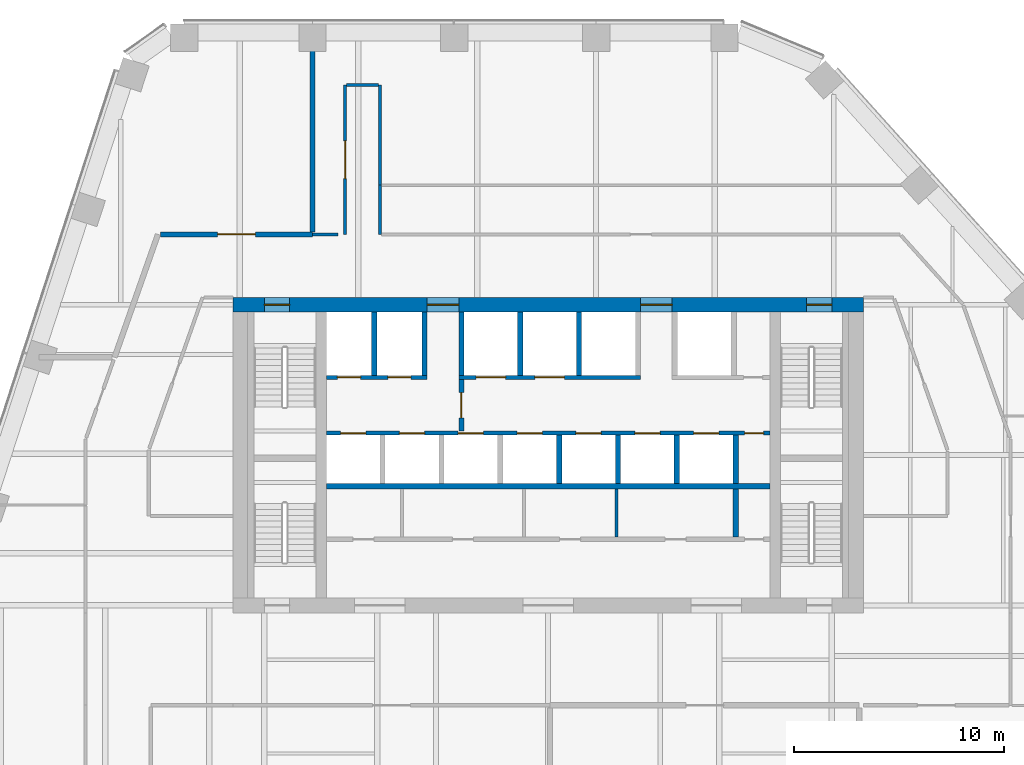
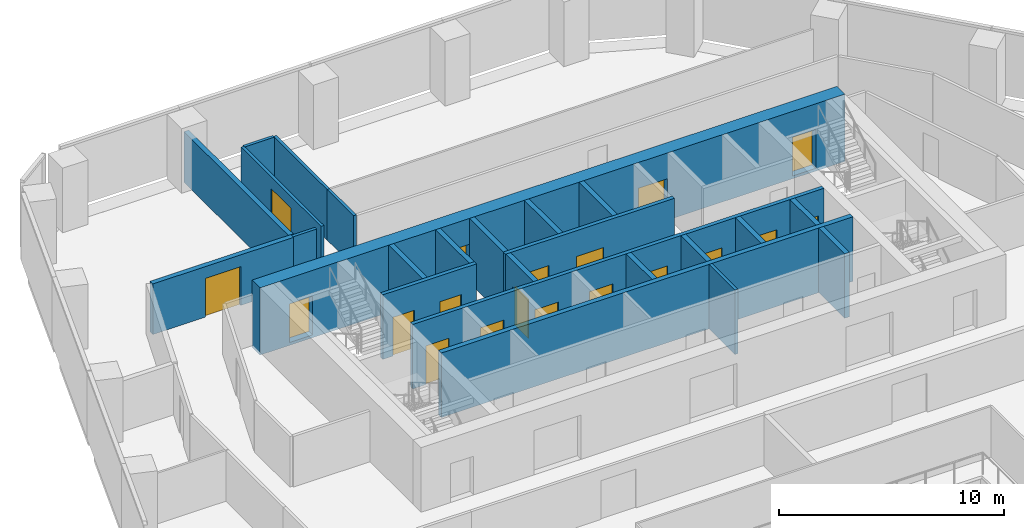
# One storey, part 12 of 16: 24 walls, 19 doors, 19 openings.
"""IFC4 building model written with IfcOpenShell, lengths in metres."""

from ifc_helpers import new_model, si_unit, direction, frame, frame_2d, origin, place, context, subcontext, project, spatial, rectangle, extrude, material, layer, layer_set, type_object, element, fill, save


model = new_model("IFC4")

# Units and contexts
model_context = context("Model", 3, precision=1e-05, world=origin(), true_north=direction((0.0, 1.0)))
body_context = subcontext(model_context, "Body", "Model", "MODEL_VIEW")
ifc_project = project(units=[si_unit("LENGTHUNIT", "METRE"), si_unit("AREAUNIT", "SQUARE_METRE"), si_unit("VOLUMEUNIT", "CUBIC_METRE"), si_unit("PLANEANGLEUNIT", "RADIAN"), si_unit("MASSUNIT", "GRAM", prefix="KILO")], contexts=[model_context])

# Site, building, storey
site_placement = place(None, origin())
site = spatial("IfcSite", under=ifc_project, at=site_placement, CompositionType="ELEMENT")
building_placement = place(site_placement, origin())
building = spatial("IfcBuilding", under=site, at=building_placement, Name="Isthmus Gate Tower", CompositionType="ELEMENT")
storey_placement = place(building_placement, frame((0.0, 0.0, 185.39990234375)))
storey = spatial("IfcBuildingStorey", under=building, at=storey_placement, Name="L46", CompositionType="ELEMENT", Elevation=185.39990234375)

# Wall, opening, door
ifc_material_1 = material(Name="Double-leaf acoustic stud wall, fire-rated", Category="gypsum")
ifc_layer_1 = layer(ifc_material_1, 0.25)
ifc_layer_set_1 = layer_set([ifc_layer_1], Name="ACOUSTIC WALL 250 60 MIN")
wall_type_1 = type_object("IfcWallType", Name="ACOUSTIC WALL 250 60 MIN", PredefinedType="PARTITIONING", material=ifc_layer_set_1)
wall_1_placement = place(storey_placement, frame((-18.43603515625, 18.0, 0.0), z_axis=(0.0, 0.0, 1.0), x_axis=(1.0, 0.0, 0.0)))
wall_1 = element("IfcWall", 1, at=wall_1_placement, inside=storey, type_object=wall_type_1, Name="L46 Acoustic Wall 250 60 Min", PredefinedType="PARTITIONING", context=body_context, shape_type="SweptSolid", body=[
    extrude(rectangle(XDim=7.22412109375, YDim=0.25, at=frame_2d((3.612060546875, 0.0))), origin(), (0.0, 0.0, 1.0), 2.7412109375),
])
opening_1_placement = place(wall_1_placement, frame((2.7119140625, 0.0, 0.0)))
opening_1 = element("IfcOpeningElement", 2, at=opening_1_placement, cuts=wall_1, Name="Opening DT-T4B-02", PredefinedType="OPENING", context=body_context, shape_type="SweptSolid", body=[
    extrude(rectangle(XDim=1.800048828125, YDim=2.10009765625, at=frame_2d((0.89990234375, 1.050048828125))), frame((0.0, 0.135009765625, 0.0), z_axis=(0.0, -1.0, 0.0), x_axis=(1.0, 0.0, 0.0)), (0.0, 0.0, 1.0), 0.27001953125),
])
ifc_material_2 = material(Name="Solid core timber door leaf, fire-rated", Category="wood")
door_type_1 = type_object("IfcDoorType", Name="FIRE DOOR ACOUSTIC ROOM 1800 X 2100 60 MIN", OperationType="DOUBLE_DOOR_DOUBLE_SWING", PredefinedType="DOOR", material=ifc_material_2)
door_1_placement = place(opening_1_placement, origin())
door_1 = element("IfcDoor", 3, at=door_1_placement, inside=storey, type_object=door_type_1, Name="L46 room door", OperationType="DOUBLE_DOOR_DOUBLE_SWING", OverallHeight=2.10009765625, OverallWidth=1.800048828125, PredefinedType="DOOR", context=body_context, shape_type="SweptSolid", body=[
    extrude(rectangle(XDim=1.800048828125, YDim=2.10009765625, at=frame_2d((0.89990234375, 1.050048828125))), frame((0.0, 0.02490234375, 0.0), z_axis=(0.0, -1.0, 0.0), x_axis=(1.0, 0.0, 0.0)), (0.0, 0.0, 1.0), 0.050048828125),
])
fill(opening_1, door_1)

# Walls
wall_2_placement = place(storey_placement, frame((-11.2119140625, 18.125, 0.0), z_axis=(0.0, 0.0, 1.0), x_axis=(0.0, 1.0, 0.0)))
element("IfcWall", 4, at=wall_2_placement, inside=storey, type_object=wall_type_1, Name="L46 Acoustic Wall 250 60 Min", PredefinedType="PARTITIONING", context=body_context, shape_type="SweptSolid", body=[
    extrude(rectangle(XDim=9.27490234375, YDim=0.25, at=frame_2d((4.637451171875, 0.0))), origin(), (0.0, 0.0, 1.0), 2.7412109375),
])
ifc_material_3 = material(Name="Gypsum board on steel studs, fire-rated", Category="steel")
ifc_layer_2 = layer(ifc_material_3, 0.14990234375)
ifc_layer_set_2 = layer_set([ifc_layer_2], Name="CORRIDOR WALL 150 60 MIN")
wall_type_2 = type_object("IfcWallType", Name="CORRIDOR WALL 150 60 MIN", PredefinedType="PARTITIONING", material=ifc_layer_set_2)
wall_3_placement = place(storey_placement, frame((-8.0, 25.10009765625, 0.0), z_axis=(0.0, 0.0, 1.0), x_axis=(0.0, -1.0, 0.0)))
element("IfcWall", 5, at=wall_3_placement, inside=storey, type_object=wall_type_2, Name="L46 Corridor Wall 150 60 Min", PredefinedType="PARTITIONING", context=body_context, shape_type="SweptSolid", body=[
    extrude(rectangle(XDim=4.759033203125, YDim=0.14990234375, at=frame_2d((2.37939453125, 0.0))), origin(), (0.0, 0.0, 1.0), 2.7412109375),
])
wall_4_placement = place(storey_placement, frame((-8.0, 20.341064453125, 0.0), z_axis=(0.0, 0.0, 1.0), x_axis=(0.0, -1.0, 0.0)))
element("IfcWall", 6, at=wall_4_placement, inside=storey, type_object=wall_type_2, Name="L46 Corridor Wall 150 60 Min", PredefinedType="PARTITIONING", context=body_context, shape_type="SweptSolid", body=[
    extrude(rectangle(XDim=2.341064453125, YDim=0.14990234375, at=frame_2d((1.17041015625, 0.0))), origin(), (0.0, 0.0, 1.0), 2.7412109375),
])
wall_5_placement = place(storey_placement, frame((-11.2119140625, 18.0, 0.0), z_axis=(0.0, 0.0, 1.0), x_axis=(1.0, 0.0, 0.0)))
element("IfcWall", 7, at=wall_5_placement, inside=storey, type_object=wall_type_2, Name="L46 Corridor Wall 150 60 Min", PredefinedType="PARTITIONING", context=body_context, shape_type="SweptSolid", body=[
    extrude(rectangle(XDim=1.2099609375, YDim=0.14990234375, at=frame_2d((0.60498046875, 0.0))), origin(), (0.0, 0.0, 1.0), 2.7412109375),
])

# Wall, opening, door
wall_6_placement = place(storey_placement, frame((-9.659912109375, 17.998046875, 0.0), z_axis=(0.0, 0.0, 1.0), x_axis=(0.0, 1.0, 0.0)))
wall_6 = element("IfcWall", 8, at=wall_6_placement, inside=storey, type_object=wall_type_2, Name="L46 Corridor Wall 150 60 Min", PredefinedType="PARTITIONING", context=body_context, shape_type="SweptSolid", body=[
    extrude(rectangle(XDim=7.10205078125, YDim=0.14990234375, at=frame_2d((3.551025390625, 0.0))), origin(), (0.0, 0.0, 1.0), 2.7412109375),
])
opening_2_placement = place(wall_6_placement, frame((2.65087890625, 0.0, 0.0)))
opening_2 = element("IfcOpeningElement", 9, at=opening_2_placement, cuts=wall_6, Name="Opening DT-T4B-01", PredefinedType="OPENING", context=body_context, shape_type="SweptSolid", body=[
    extrude(rectangle(XDim=1.800048828125, YDim=2.10009765625, at=frame_2d((0.89990234375, 1.050048828125))), frame((0.0, 0.0849609375, 0.0), z_axis=(0.0, -1.0, 0.0), x_axis=(1.0, 0.0, 0.0)), (0.0, 0.0, 1.0), 0.169921875),
])
ifc_material_4 = material(Name="Solid core timber door leaf, fire-rated", Category="wood")
door_type_2 = type_object("IfcDoorType", Name="FIRE DOOR ROOM 1800 X 2100 60 MIN", OperationType="DOUBLE_DOOR_DOUBLE_SWING", PredefinedType="DOOR", material=ifc_material_4)
door_2_placement = place(opening_2_placement, origin())
door_2 = element("IfcDoor", 10, at=door_2_placement, inside=storey, type_object=door_type_2, Name="L46 room door", OperationType="DOUBLE_DOOR_DOUBLE_SWING", OverallHeight=2.10009765625, OverallWidth=1.800048828125, PredefinedType="DOOR", context=body_context, shape_type="SweptSolid", body=[
    extrude(rectangle(XDim=1.800048828125, YDim=2.10009765625, at=frame_2d((0.89990234375, 1.050048828125))), frame((0.0, 0.02490234375, 0.0), z_axis=(0.0, -1.0, 0.0), x_axis=(1.0, 0.0, 0.0)), (0.0, 0.0, 1.0), 0.050048828125),
])
fill(opening_2, door_2)

# Wall
wall_7_placement = place(storey_placement, frame((-9.5849609375, 25.10009765625, 0.0), z_axis=(0.0, 0.0, 1.0), x_axis=(1.0, 0.0, 0.0)))
element("IfcWall", 11, at=wall_7_placement, inside=storey, type_object=wall_type_2, Name="L46 Corridor Wall 150 60 Min", PredefinedType="PARTITIONING", context=body_context, shape_type="SweptSolid", body=[
    extrude(rectangle(XDim=1.510009765625, YDim=0.14990234375, at=frame_2d((0.7548828125, 0.0))), origin(), (0.0, 0.0, 1.0), 2.7412109375),
])

# Wall, opening, door
ifc_material_5 = material(Name="Fire-rated blockwork masonry, 15 MPa", Category="masonry")
ifc_layer_3 = layer(ifc_material_5, 0.25)
ifc_layer_set_3 = layer_set([ifc_layer_3], Name="FIRE-FIGHTING LOBBY WALL 250 90 MIN")
wall_type_3 = type_object("IfcWallType", Name="FIRE-FIGHTING LOBBY WALL 250 90 MIN", PredefinedType="PARTITIONING", material=ifc_layer_set_3)
wall_8_placement = place(storey_placement, frame((-4.125, 8.64990234375, 0.0), z_axis=(0.0, 0.0, 1.0), x_axis=(0.0, 1.0, 0.0)))
wall_8 = element("IfcWall", 12, at=wall_8_placement, inside=storey, type_object=wall_type_3, Name="L46 FIRE-FIGHTING LOBBY WALL 250 90 MIN", PredefinedType="PARTITIONING", context=body_context, shape_type="SweptSolid", body=[
    extrude(rectangle(XDim=2.4501953125, YDim=0.25, at=frame_2d((1.22509765625, 0.0))), origin(), (0.0, 0.0, 1.0), 3.5),
])
opening_3_placement = place(wall_8_placement, frame((0.625, 0.0, 0.0)))
opening_3 = element("IfcOpeningElement", 13, at=opening_3_placement, cuts=wall_8, Name="Opening DC-A13-01", PredefinedType="OPENING", context=body_context, shape_type="SweptSolid", body=[
    extrude(rectangle(XDim=1.199951171875, YDim=2.10009765625, at=frame_2d((0.60009765625, 1.050048828125))), frame((0.0, 0.135009765625, 0.0), z_axis=(0.0, -1.0, 0.0), x_axis=(1.0, 0.0, 0.0)), (0.0, 0.0, 1.0), 0.27001953125),
])
ifc_material_6 = material(Name="Steel door leaf, fire-rated", Category="steel")
door_type_3 = type_object("IfcDoorType", Name="LOBBY FIRE DOOR 1200 X 2100 90 MIN", OperationType="DOUBLE_DOOR_SINGLE_SWING", PredefinedType="DOOR", material=ifc_material_6)
door_3_placement = place(opening_3_placement, origin())
door_3 = element("IfcDoor", 14, at=door_3_placement, inside=storey, type_object=door_type_3, Name="Fire-fighting Lobby Door", OperationType="SINGLE_SWING_LEFT", OverallHeight=2.10009765625, OverallWidth=1.199951171875, PredefinedType="DOOR", context=body_context, shape_type="SweptSolid", body=[
    extrude(rectangle(XDim=1.199951171875, YDim=2.10009765625, at=frame_2d((0.60009765625, 1.050048828125))), frame((0.0, 0.02490234375, 0.0), z_axis=(0.0, -1.0, 0.0), x_axis=(1.0, 0.0, 0.0)), (0.0, 0.0, 1.0), 0.050048828125),
])
fill(opening_3, door_3)

# Wall, openings, doors
ifc_material_7 = material(Name="Concrete f'c 60 MPa", Category="concrete")
ifc_layer_4 = layer(ifc_material_7, 0.699951171875)
ifc_layer_set_4 = layer_set([ifc_layer_4], Name="RC CORE WALL 700 F'C 60")
wall_type_4 = type_object("IfcWallType", Name="RC CORE WALL 700 F'C 60", PredefinedType="SOLIDWALL", material=ifc_layer_set_4)
wall_9_placement = place(storey_placement, frame((-15.0, 14.64990234375, -0.14990234375), z_axis=(0.0, 0.0, 1.0), x_axis=(1.0, 0.0, 0.0)))
wall_9 = element("IfcWall", 15, at=wall_9_placement, inside=storey, type_object=wall_type_4, Name="str-corewall-L46-N", PredefinedType="SOLIDWALL", context=body_context, shape_type="SweptSolid", body=[
    extrude(rectangle(XDim=30.0, YDim=0.699951171875, at=frame_2d((15.0, 0.0))), origin(), (0.0, 0.0, 1.0), 3.64990234375),
])
opening_4_placement = place(wall_9_placement, frame((9.25, 0.0, 0.14990234375)))
opening_4 = element("IfcOpeningElement", 16, at=opening_4_placement, cuts=wall_9, Name="Opening DC-A13-12", PredefinedType="OPENING", context=body_context, shape_type="SweptSolid", body=[
    extrude(rectangle(XDim=1.5, YDim=2.10009765625, at=frame_2d((0.75, 1.050048828125))), frame((0.0, 0.35986328125, 0.0), z_axis=(0.0, -1.0, 0.0), x_axis=(1.0, 0.0, 0.0)), (0.0, 0.0, 1.0), 0.719970703125),
])
opening_5_placement = place(wall_9_placement, frame((19.39990234375, 0.0, 0.14990234375)))
opening_5 = element("IfcOpeningElement", 17, at=opening_5_placement, cuts=wall_9, Name="Opening DC-A13-13", PredefinedType="OPENING", context=body_context, shape_type="SweptSolid", body=[
    extrude(rectangle(XDim=1.5, YDim=2.10009765625, at=frame_2d((0.75, 1.050048828125))), frame((0.0, 0.35986328125, 0.0), z_axis=(0.0, -1.0, 0.0), x_axis=(1.0, 0.0, 0.0)), (0.0, 0.0, 1.0), 0.719970703125),
])
opening_6_placement = place(wall_9_placement, frame((1.5, 0.0, 0.14990234375)))
opening_6 = element("IfcOpeningElement", 18, at=opening_6_placement, cuts=wall_9, Name="Opening DC-A13-14", PredefinedType="OPENING", context=body_context, shape_type="SweptSolid", body=[
    extrude(rectangle(XDim=1.199951171875, YDim=2.10009765625, at=frame_2d((0.60009765625, 1.050048828125))), frame((0.0, 0.35986328125, 0.0), z_axis=(0.0, -1.0, 0.0), x_axis=(1.0, 0.0, 0.0)), (0.0, 0.0, 1.0), 0.719970703125),
])
opening_7_placement = place(wall_9_placement, frame((27.300048828125, 0.0, 0.14990234375)))
opening_7 = element("IfcOpeningElement", 19, at=opening_7_placement, cuts=wall_9, Name="Opening DC-A13-15", PredefinedType="OPENING", context=body_context, shape_type="SweptSolid", body=[
    extrude(rectangle(XDim=1.199951171875, YDim=2.10009765625, at=frame_2d((0.60009765625, 1.050048828125))), frame((0.0, 0.35986328125, 0.0), z_axis=(0.0, -1.0, 0.0), x_axis=(1.0, 0.0, 0.0)), (0.0, 0.0, 1.0), 0.719970703125),
])
ifc_material_8 = material(Name="Steel door leaf, fire-rated", Category="steel")
door_type_4 = type_object("IfcDoorType", Name="LOBBY FIRE DOOR 1500 X 2100 60 MIN", OperationType="DOUBLE_DOOR_SINGLE_SWING", PredefinedType="DOOR", material=ifc_material_8)
door_4_placement = place(opening_5_placement, origin())
door_4 = element("IfcDoor", 20, at=door_4_placement, inside=storey, type_object=door_type_4, Name="Lobby Door PN-E", OperationType="DOUBLE_DOOR_SINGLE_SWING", OverallHeight=2.10009765625, OverallWidth=1.5, PredefinedType="DOOR", context=body_context, shape_type="SweptSolid", body=[
    extrude(rectangle(XDim=1.5, YDim=2.10009765625, at=frame_2d((0.75, 1.050048828125))), frame((0.0, 0.02490234375, 0.0), z_axis=(0.0, -1.0, 0.0), x_axis=(1.0, 0.0, 0.0)), (0.0, 0.0, 1.0), 0.050048828125),
])
fill(opening_5, door_4)
ifc_material_9 = material(Name="Steel door leaf, fire-rated", Category="steel")
door_type_5 = type_object("IfcDoorType", Name="LOBBY FIRE DOOR 1500 X 2100 90 MIN", OperationType="DOUBLE_DOOR_SINGLE_SWING", PredefinedType="DOOR", material=ifc_material_9)
door_5_placement = place(opening_4_placement, origin())
door_5 = element("IfcDoor", 21, at=door_5_placement, inside=storey, type_object=door_type_5, Name="Lobby Door PN-W", OperationType="DOUBLE_DOOR_SINGLE_SWING", OverallHeight=2.10009765625, OverallWidth=1.5, PredefinedType="DOOR", context=body_context, shape_type="SweptSolid", body=[
    extrude(rectangle(XDim=1.5, YDim=2.10009765625, at=frame_2d((0.75, 1.050048828125))), frame((0.0, 0.02490234375, 0.0), z_axis=(0.0, -1.0, 0.0), x_axis=(1.0, 0.0, 0.0)), (0.0, 0.0, 1.0), 0.050048828125),
])
fill(opening_4, door_5)
ifc_material_10 = material(Name="Steel door leaf, fire-rated", Category="steel")
door_type_6 = type_object("IfcDoorType", Name="STAIR FIRE DOOR 1200 X 2100 90 MIN", OperationType="SINGLE_SWING_LEFT", PredefinedType="DOOR", material=ifc_material_10)
door_6_placement = place(opening_6_placement, origin())
door_6 = element("IfcDoor", 22, at=door_6_placement, inside=storey, type_object=door_type_6, Name="Exit Stair 1 Door", OperationType="SINGLE_SWING_RIGHT", OverallHeight=2.10009765625, OverallWidth=1.199951171875, PredefinedType="DOOR", context=body_context, shape_type="SweptSolid", body=[
    extrude(rectangle(XDim=1.199951171875, YDim=2.10009765625, at=frame_2d((0.60009765625, 1.050048828125))), frame((0.0, 0.02490234375, 0.0), z_axis=(0.0, -1.0, 0.0), x_axis=(1.0, 0.0, 0.0)), (0.0, 0.0, 1.0), 0.050048828125),
])
fill(opening_6, door_6)
door_7_placement = place(opening_7_placement, origin())
door_7 = element("IfcDoor", 23, at=door_7_placement, inside=storey, type_object=door_type_6, Name="Exit Stair 2 Door", OperationType="SINGLE_SWING_LEFT", OverallHeight=2.10009765625, OverallWidth=1.199951171875, PredefinedType="DOOR", context=body_context, shape_type="SweptSolid", body=[
    extrude(rectangle(XDim=1.199951171875, YDim=2.10009765625, at=frame_2d((0.60009765625, 1.050048828125))), frame((0.0, 0.02490234375, 0.0), z_axis=(0.0, -1.0, 0.0), x_axis=(1.0, 0.0, 0.0)), (0.0, 0.0, 1.0), 0.050048828125),
])
fill(opening_7, door_7)

# Wall
ifc_material_11 = material(Name="Gypsum board on steel studs, fire-rated", Category="steel")
ifc_layer_5 = layer(ifc_material_11, 0.14990234375)
ifc_layer_set_5 = layer_set([ifc_layer_5], Name="ROOM PARTITION 150 60 MIN")
wall_type_5 = type_object("IfcWallType", Name="ROOM PARTITION 150 60 MIN", PredefinedType="PARTITIONING", material=ifc_layer_set_5)
wall_10_placement = place(storey_placement, frame((3.25, 3.60009765625, 0.0), z_axis=(0.0, 0.0, 1.0), x_axis=(0.0, 1.0, 0.0)))
element("IfcWall", 24, at=wall_10_placement, inside=storey, type_object=wall_type_5, Name="L46 ROOM PARTITION 150 60 MIN", PredefinedType="PARTITIONING", context=body_context, shape_type="SweptSolid", body=[
    extrude(rectangle(XDim=2.2998046875, YDim=0.14990234375, at=frame_2d((1.14990234375, 0.0))), origin(), (0.0, 0.0, 1.0), 3.5),
])

# Wall, openings, doors
ifc_material_12 = material(Name="Fire-rated blockwork masonry, 15 MPa", Category="masonry")
ifc_layer_6 = layer(ifc_material_12, 0.199951171875)
ifc_layer_set_6 = layer_set([ifc_layer_6], Name="SHAFT FRONT WALL 200 120 MIN")
wall_type_6 = type_object("IfcWallType", Name="SHAFT FRONT WALL 200 120 MIN", PredefinedType="PARTITIONING", material=ifc_layer_set_6)
wall_11_placement = place(storey_placement, frame((-10.550048828125, 8.550048828125, 0.0), z_axis=(0.0, 0.0, 1.0), x_axis=(1.0, 0.0, 0.0)))
wall_11 = element("IfcWall", 25, at=wall_11_placement, inside=storey, type_object=wall_type_6, Name="L46 SHAFT FRONT WALL 200 120 MIN", PredefinedType="PARTITIONING", context=body_context, shape_type="SweptSolid", body=[
    extrude(rectangle(XDim=21.10009765625, YDim=0.199951171875, at=frame_2d((10.550048828125, 0.0))), origin(), (0.0, 0.0, 1.0), 3.5),
])
opening_8_placement = place(wall_11_placement, frame((0.675048828125, 0.0, 0.0)))
opening_8 = element("IfcOpeningElement", 26, at=opening_8_placement, cuts=wall_11, Name="Opening LD-LB1", PredefinedType="OPENING", context=body_context, shape_type="SweptSolid", body=[
    extrude(rectangle(XDim=1.199951171875, YDim=2.10009765625, at=frame_2d((0.60009765625, 1.050048828125))), frame((0.0, 0.10986328125, 0.0), z_axis=(0.0, -1.0, 0.0), x_axis=(1.0, 0.0, 0.0)), (0.0, 0.0, 1.0), 0.219970703125),
])
opening_9_placement = place(wall_11_placement, frame((3.47509765625, 0.0, 0.0)))
opening_9 = element("IfcOpeningElement", 27, at=opening_9_placement, cuts=wall_11, Name="Opening LD-LB2", PredefinedType="OPENING", context=body_context, shape_type="SweptSolid", body=[
    extrude(rectangle(XDim=1.199951171875, YDim=2.10009765625, at=frame_2d((0.60009765625, 1.050048828125))), frame((0.0, 0.10986328125, 0.0), z_axis=(0.0, -1.0, 0.0), x_axis=(1.0, 0.0, 0.0)), (0.0, 0.0, 1.0), 0.219970703125),
])
opening_10_placement = place(wall_11_placement, frame((6.27490234375, 0.0, 0.0)))
opening_10 = element("IfcOpeningElement", 28, at=opening_10_placement, cuts=wall_11, Name="Opening LD-LB3", PredefinedType="OPENING", context=body_context, shape_type="SweptSolid", body=[
    extrude(rectangle(XDim=1.199951171875, YDim=2.10009765625, at=frame_2d((0.60009765625, 1.050048828125))), frame((0.0, 0.10986328125, 0.0), z_axis=(0.0, -1.0, 0.0), x_axis=(1.0, 0.0, 0.0)), (0.0, 0.0, 1.0), 0.219970703125),
])
opening_11_placement = place(wall_11_placement, frame((9.074951171875, 0.0, 0.0)))
opening_11 = element("IfcOpeningElement", 29, at=opening_11_placement, cuts=wall_11, Name="Opening LD-LB4", PredefinedType="OPENING", context=body_context, shape_type="SweptSolid", body=[
    extrude(rectangle(XDim=1.199951171875, YDim=2.10009765625, at=frame_2d((0.60009765625, 1.050048828125))), frame((0.0, 0.10986328125, 0.0), z_axis=(0.0, -1.0, 0.0), x_axis=(1.0, 0.0, 0.0)), (0.0, 0.0, 1.0), 0.219970703125),
])
opening_12_placement = place(wall_11_placement, frame((11.875, 0.0, 0.0)))
opening_12 = element("IfcOpeningElement", 30, at=opening_12_placement, cuts=wall_11, Name="Opening LD-LB5", PredefinedType="OPENING", context=body_context, shape_type="SweptSolid", body=[
    extrude(rectangle(XDim=1.199951171875, YDim=2.10009765625, at=frame_2d((0.60009765625, 1.050048828125))), frame((0.0, 0.10986328125, 0.0), z_axis=(0.0, -1.0, 0.0), x_axis=(1.0, 0.0, 0.0)), (0.0, 0.0, 1.0), 0.219970703125),
])
opening_13_placement = place(wall_11_placement, frame((14.675048828125, 0.0, 0.0)))
opening_13 = element("IfcOpeningElement", 31, at=opening_13_placement, cuts=wall_11, Name="Opening LD-LB6", PredefinedType="OPENING", context=body_context, shape_type="SweptSolid", body=[
    extrude(rectangle(XDim=1.199951171875, YDim=2.10009765625, at=frame_2d((0.60009765625, 1.050048828125))), frame((0.0, 0.10986328125, 0.0), z_axis=(0.0, -1.0, 0.0), x_axis=(1.0, 0.0, 0.0)), (0.0, 0.0, 1.0), 0.219970703125),
])
opening_14_placement = place(wall_11_placement, frame((17.47509765625, 0.0, 0.0)))
opening_14 = element("IfcOpeningElement", 32, at=opening_14_placement, cuts=wall_11, Name="Opening LD-LB7", PredefinedType="OPENING", context=body_context, shape_type="SweptSolid", body=[
    extrude(rectangle(XDim=1.199951171875, YDim=2.10009765625, at=frame_2d((0.60009765625, 1.050048828125))), frame((0.0, 0.10986328125, 0.0), z_axis=(0.0, -1.0, 0.0), x_axis=(1.0, 0.0, 0.0)), (0.0, 0.0, 1.0), 0.219970703125),
])
opening_15_placement = place(wall_11_placement, frame((19.89990234375, 0.0, 0.0)))
opening_15 = element("IfcOpeningElement", 33, at=opening_15_placement, cuts=wall_11, Name="Opening DC-A13-07", PredefinedType="OPENING", context=body_context, shape_type="SweptSolid", body=[
    extrude(rectangle(XDim=0.89990234375, YDim=2.10009765625, at=frame_2d((0.449951171875, 1.050048828125))), frame((0.0, 0.10986328125, 0.0), z_axis=(0.0, -1.0, 0.0), x_axis=(1.0, 0.0, 0.0)), (0.0, 0.0, 1.0), 0.219970703125),
])
ifc_material_13 = material(Name="Stainless steel sliding leaf", Category="steel")
door_type_7 = type_object("IfcDoorType", Name="LIFT LANDING FIRE DOOR 1200 X 2100 90 MIN", OperationType="DOUBLE_DOOR_SLIDING", PredefinedType="DOOR", material=ifc_material_13)
door_8_placement = place(opening_8_placement, origin())
door_8 = element("IfcDoor", 34, at=door_8_placement, inside=storey, type_object=door_type_7, Name="Lift Landing Door LB1", OperationType="DOUBLE_DOOR_SLIDING", OverallHeight=2.10009765625, OverallWidth=1.199951171875, PredefinedType="DOOR", context=body_context, shape_type="SweptSolid", body=[
    extrude(rectangle(XDim=1.199951171875, YDim=2.10009765625, at=frame_2d((0.60009765625, 1.050048828125))), frame((0.0, 0.02490234375, 0.0), z_axis=(0.0, -1.0, 0.0), x_axis=(1.0, 0.0, 0.0)), (0.0, 0.0, 1.0), 0.050048828125),
])
fill(opening_8, door_8)
door_9_placement = place(opening_9_placement, origin())
door_9 = element("IfcDoor", 35, at=door_9_placement, inside=storey, type_object=door_type_7, Name="Lift Landing Door LB2", OperationType="DOUBLE_DOOR_SLIDING", OverallHeight=2.10009765625, OverallWidth=1.199951171875, PredefinedType="DOOR", context=body_context, shape_type="SweptSolid", body=[
    extrude(rectangle(XDim=1.199951171875, YDim=2.10009765625, at=frame_2d((0.60009765625, 1.050048828125))), frame((0.0, 0.02490234375, 0.0), z_axis=(0.0, -1.0, 0.0), x_axis=(1.0, 0.0, 0.0)), (0.0, 0.0, 1.0), 0.050048828125),
])
fill(opening_9, door_9)
door_10_placement = place(opening_10_placement, origin())
door_10 = element("IfcDoor", 36, at=door_10_placement, inside=storey, type_object=door_type_7, Name="Lift Landing Door LB3", OperationType="DOUBLE_DOOR_SLIDING", OverallHeight=2.10009765625, OverallWidth=1.199951171875, PredefinedType="DOOR", context=body_context, shape_type="SweptSolid", body=[
    extrude(rectangle(XDim=1.199951171875, YDim=2.10009765625, at=frame_2d((0.60009765625, 1.050048828125))), frame((0.0, 0.02490234375, 0.0), z_axis=(0.0, -1.0, 0.0), x_axis=(1.0, 0.0, 0.0)), (0.0, 0.0, 1.0), 0.050048828125),
])
fill(opening_10, door_10)
door_11_placement = place(opening_11_placement, origin())
door_11 = element("IfcDoor", 37, at=door_11_placement, inside=storey, type_object=door_type_7, Name="Lift Landing Door LB4", OperationType="DOUBLE_DOOR_SLIDING", OverallHeight=2.10009765625, OverallWidth=1.199951171875, PredefinedType="DOOR", context=body_context, shape_type="SweptSolid", body=[
    extrude(rectangle(XDim=1.199951171875, YDim=2.10009765625, at=frame_2d((0.60009765625, 1.050048828125))), frame((0.0, 0.02490234375, 0.0), z_axis=(0.0, -1.0, 0.0), x_axis=(1.0, 0.0, 0.0)), (0.0, 0.0, 1.0), 0.050048828125),
])
fill(opening_11, door_11)
door_12_placement = place(opening_12_placement, origin())
door_12 = element("IfcDoor", 38, at=door_12_placement, inside=storey, type_object=door_type_7, Name="Lift Landing Door LB5", OperationType="DOUBLE_DOOR_SLIDING", OverallHeight=2.10009765625, OverallWidth=1.199951171875, PredefinedType="DOOR", context=body_context, shape_type="SweptSolid", body=[
    extrude(rectangle(XDim=1.199951171875, YDim=2.10009765625, at=frame_2d((0.60009765625, 1.050048828125))), frame((0.0, 0.02490234375, 0.0), z_axis=(0.0, -1.0, 0.0), x_axis=(1.0, 0.0, 0.0)), (0.0, 0.0, 1.0), 0.050048828125),
])
fill(opening_12, door_12)
door_13_placement = place(opening_13_placement, origin())
door_13 = element("IfcDoor", 39, at=door_13_placement, inside=storey, type_object=door_type_7, Name="Lift Landing Door LB6", OperationType="DOUBLE_DOOR_SLIDING", OverallHeight=2.10009765625, OverallWidth=1.199951171875, PredefinedType="DOOR", context=body_context, shape_type="SweptSolid", body=[
    extrude(rectangle(XDim=1.199951171875, YDim=2.10009765625, at=frame_2d((0.60009765625, 1.050048828125))), frame((0.0, 0.02490234375, 0.0), z_axis=(0.0, -1.0, 0.0), x_axis=(1.0, 0.0, 0.0)), (0.0, 0.0, 1.0), 0.050048828125),
])
fill(opening_13, door_13)
door_14_placement = place(opening_14_placement, origin())
door_14 = element("IfcDoor", 40, at=door_14_placement, inside=storey, type_object=door_type_7, Name="Lift Landing Door LB7", OperationType="DOUBLE_DOOR_SLIDING", OverallHeight=2.10009765625, OverallWidth=1.199951171875, PredefinedType="DOOR", context=body_context, shape_type="SweptSolid", body=[
    extrude(rectangle(XDim=1.199951171875, YDim=2.10009765625, at=frame_2d((0.60009765625, 1.050048828125))), frame((0.0, 0.02490234375, 0.0), z_axis=(0.0, -1.0, 0.0), x_axis=(1.0, 0.0, 0.0)), (0.0, 0.0, 1.0), 0.050048828125),
])
fill(opening_14, door_14)
ifc_material_14 = material(Name="Steel door leaf, fire-rated", Category="steel")
door_type_8 = type_object("IfcDoorType", Name="RISER FIRE DOOR 900 X 2100 90 MIN", OperationType="SINGLE_SWING_LEFT", PredefinedType="DOOR", material=ifc_material_14)
door_15_placement = place(opening_15_placement, origin())
door_15 = element("IfcDoor", 41, at=door_15_placement, inside=storey, type_object=door_type_8, Name="Riser Door", OperationType="SINGLE_SWING_RIGHT", OverallHeight=2.10009765625, OverallWidth=0.89990234375, PredefinedType="DOOR", context=body_context, shape_type="SweptSolid", body=[
    extrude(rectangle(XDim=0.89990234375, YDim=2.10009765625, at=frame_2d((0.449951171875, 1.050048828125))), frame((0.0, 0.02490234375, 0.0), z_axis=(0.0, -1.0, 0.0), x_axis=(1.0, 0.0, 0.0)), (0.0, 0.0, 1.0), 0.050048828125),
])
fill(opening_15, door_15)

wall_12_placement = place(storey_placement, frame((-10.550048828125, 11.199951171875, 0.0), z_axis=(0.0, 0.0, 1.0), x_axis=(1.0, 0.0, 0.0)))
wall_12 = element("IfcWall", 42, at=wall_12_placement, inside=storey, type_object=wall_type_6, Name="L46 SHAFT FRONT WALL 200 120 MIN", PredefinedType="PARTITIONING", context=body_context, shape_type="SweptSolid", body=[
    extrude(rectangle(XDim=4.800048828125, YDim=0.199951171875, at=frame_2d((2.39990234375, 0.0))), origin(), (0.0, 0.0, 1.0), 3.5),
])
opening_16_placement = place(wall_12_placement, frame((0.52490234375, 0.0, 0.0)))
opening_16 = element("IfcOpeningElement", 43, at=opening_16_placement, cuts=wall_12, Name="Opening LD-LF1", PredefinedType="OPENING", context=body_context, shape_type="SweptSolid", body=[
    extrude(rectangle(XDim=1.10009765625, YDim=2.10009765625, at=frame_2d((0.550048828125, 1.050048828125))), frame((0.0, 0.10986328125, 0.0), z_axis=(0.0, -1.0, 0.0), x_axis=(1.0, 0.0, 0.0)), (0.0, 0.0, 1.0), 0.219970703125),
])
opening_17_placement = place(wall_12_placement, frame((2.925048828125, 0.0, 0.0)))
opening_17 = element("IfcOpeningElement", 44, at=opening_17_placement, cuts=wall_12, Name="Opening LD-LF2", PredefinedType="OPENING", context=body_context, shape_type="SweptSolid", body=[
    extrude(rectangle(XDim=1.10009765625, YDim=2.10009765625, at=frame_2d((0.550048828125, 1.050048828125))), frame((0.0, 0.10986328125, 0.0), z_axis=(0.0, -1.0, 0.0), x_axis=(1.0, 0.0, 0.0)), (0.0, 0.0, 1.0), 0.219970703125),
])
ifc_material_15 = material(Name="Stainless steel sliding leaf", Category="steel")
door_type_9 = type_object("IfcDoorType", Name="LIFT LANDING FIRE DOOR 1100 X 2100 90 MIN", OperationType="DOUBLE_DOOR_SLIDING", PredefinedType="DOOR", material=ifc_material_15)
door_16_placement = place(opening_16_placement, origin())
door_16 = element("IfcDoor", 45, at=door_16_placement, inside=storey, type_object=door_type_9, Name="Lift Landing Door LF1", OperationType="DOUBLE_DOOR_SLIDING", OverallHeight=2.10009765625, OverallWidth=1.10009765625, PredefinedType="DOOR", context=body_context, shape_type="SweptSolid", body=[
    extrude(rectangle(XDim=1.10009765625, YDim=2.10009765625, at=frame_2d((0.550048828125, 1.050048828125))), frame((0.0, 0.02490234375, 0.0), z_axis=(0.0, -1.0, 0.0), x_axis=(1.0, 0.0, 0.0)), (0.0, 0.0, 1.0), 0.050048828125),
])
fill(opening_16, door_16)
door_17_placement = place(opening_17_placement, origin())
door_17 = element("IfcDoor", 46, at=door_17_placement, inside=storey, type_object=door_type_9, Name="Lift Landing Door LF2", OperationType="DOUBLE_DOOR_SLIDING", OverallHeight=2.10009765625, OverallWidth=1.10009765625, PredefinedType="DOOR", context=body_context, shape_type="SweptSolid", body=[
    extrude(rectangle(XDim=1.10009765625, YDim=2.10009765625, at=frame_2d((0.550048828125, 1.050048828125))), frame((0.0, 0.02490234375, 0.0), z_axis=(0.0, -1.0, 0.0), x_axis=(1.0, 0.0, 0.0)), (0.0, 0.0, 1.0), 0.050048828125),
])
fill(opening_17, door_17)

wall_13_placement = place(storey_placement, frame((-4.25, 11.199951171875, 0.0), z_axis=(0.0, 0.0, 1.0), x_axis=(1.0, 0.0, 0.0)))
wall_13 = element("IfcWall", 47, at=wall_13_placement, inside=storey, type_object=wall_type_6, Name="L46 SHAFT FRONT WALL 200 120 MIN", PredefinedType="PARTITIONING", context=body_context, shape_type="SweptSolid", body=[
    extrude(rectangle(XDim=8.64990234375, YDim=0.199951171875, at=frame_2d((4.324951171875, 0.0))), origin(), (0.0, 0.0, 1.0), 3.5),
])
opening_18_placement = place(wall_13_placement, frame((0.824951171875, 0.0, 0.0)))
opening_18 = element("IfcOpeningElement", 48, at=opening_18_placement, cuts=wall_13, Name="Opening LD-LV1", PredefinedType="OPENING", context=body_context, shape_type="SweptSolid", body=[
    extrude(rectangle(XDim=1.39990234375, YDim=2.10009765625, at=frame_2d((0.699951171875, 1.050048828125))), frame((0.0, 0.10986328125, 0.0), z_axis=(0.0, -1.0, 0.0), x_axis=(1.0, 0.0, 0.0)), (0.0, 0.0, 1.0), 0.219970703125),
])
opening_19_placement = place(wall_13_placement, frame((3.625, 0.0, 0.0)))
opening_19 = element("IfcOpeningElement", 49, at=opening_19_placement, cuts=wall_13, Name="Opening LD-LV2", PredefinedType="OPENING", context=body_context, shape_type="SweptSolid", body=[
    extrude(rectangle(XDim=1.39990234375, YDim=2.10009765625, at=frame_2d((0.699951171875, 1.050048828125))), frame((0.0, 0.10986328125, 0.0), z_axis=(0.0, -1.0, 0.0), x_axis=(1.0, 0.0, 0.0)), (0.0, 0.0, 1.0), 0.219970703125),
])
ifc_material_16 = material(Name="Stainless steel sliding leaf", Category="steel")
door_type_10 = type_object("IfcDoorType", Name="LIFT LANDING FIRE DOOR 1400 X 2100 90 MIN", OperationType="DOUBLE_DOOR_SLIDING", PredefinedType="DOOR", material=ifc_material_16)
door_18_placement = place(opening_18_placement, origin())
door_18 = element("IfcDoor", 50, at=door_18_placement, inside=storey, type_object=door_type_10, Name="Lift Landing Door LV1", OperationType="DOUBLE_DOOR_SLIDING", OverallHeight=2.10009765625, OverallWidth=1.39990234375, PredefinedType="DOOR", context=body_context, shape_type="SweptSolid", body=[
    extrude(rectangle(XDim=1.39990234375, YDim=2.10009765625, at=frame_2d((0.699951171875, 1.050048828125))), frame((0.0, 0.02490234375, 0.0), z_axis=(0.0, -1.0, 0.0), x_axis=(1.0, 0.0, 0.0)), (0.0, 0.0, 1.0), 0.050048828125),
])
fill(opening_18, door_18)
door_19_placement = place(opening_19_placement, origin())
door_19 = element("IfcDoor", 51, at=door_19_placement, inside=storey, type_object=door_type_10, Name="Lift Landing Door LV2", OperationType="DOUBLE_DOOR_SLIDING", OverallHeight=2.10009765625, OverallWidth=1.39990234375, PredefinedType="DOOR", context=body_context, shape_type="SweptSolid", body=[
    extrude(rectangle(XDim=1.39990234375, YDim=2.10009765625, at=frame_2d((0.699951171875, 1.050048828125))), frame((0.0, 0.02490234375, 0.0), z_axis=(0.0, -1.0, 0.0), x_axis=(1.0, 0.0, 0.0)), (0.0, 0.0, 1.0), 0.050048828125),
])
fill(opening_19, door_19)

# Walls
ifc_material_17 = material(Name="Fire-rated blockwork masonry, 15 MPa", Category="masonry")
ifc_layer_7 = layer(ifc_material_17, 0.25)
ifc_layer_set_7 = layer_set([ifc_layer_7], Name="SHAFT WALL 250 120 MIN")
wall_type_7 = type_object("IfcWallType", Name="SHAFT WALL 250 120 MIN", PredefinedType="PARTITIONING", material=ifc_layer_set_7)
wall_14_placement = place(storey_placement, frame((-10.550048828125, 6.02490234375, 0.0), z_axis=(0.0, 0.0, 1.0), x_axis=(1.0, 0.0, 0.0)))
element("IfcWall", 52, at=wall_14_placement, inside=storey, type_object=wall_type_7, Name="L46 SHAFT WALL 250 120 MIN", PredefinedType="PARTITIONING", context=body_context, shape_type="SweptSolid", body=[
    extrude(rectangle(XDim=21.10009765625, YDim=0.25, at=frame_2d((10.550048828125, 0.0))), origin(), (0.0, 0.0, 1.0), 3.5),
])
wall_15_placement = place(storey_placement, frame((8.925048828125, 3.60009765625, 0.0), z_axis=(0.0, 0.0, 1.0), x_axis=(0.0, 1.0, 0.0)))
element("IfcWall", 53, at=wall_15_placement, inside=storey, type_object=wall_type_7, Name="L46 SHAFT WALL 250 120 MIN", PredefinedType="PARTITIONING", context=body_context, shape_type="SweptSolid", body=[
    extrude(rectangle(XDim=2.2998046875, YDim=0.25, at=frame_2d((1.14990234375, 0.0))), origin(), (0.0, 0.0, 1.0), 3.5),
])
for number, where, z_axis, x_axis, name in (
    (54, (0.52490234375, 6.14990234375, 0.0), (0.0, 0.0, 1.0), (0.0, 1.0, 0.0), "L46 SHAFT WALL 250 120 MIN"),
    (55, (3.324951171875, 6.14990234375, 0.0), (0.0, 0.0, 1.0), (0.0, 1.0, 0.0), "L46 SHAFT WALL 250 120 MIN"),
    (56, (6.125, 6.14990234375, 0.0), (0.0, 0.0, 1.0), (0.0, 1.0, 0.0), "L46 SHAFT WALL 250 120 MIN"),
    (57, (8.925048828125, 6.14990234375, 0.0), (0.0, 0.0, 1.0), (0.0, 1.0, 0.0), "L46 SHAFT WALL 250 120 MIN"),
):
    element("IfcWall", number, at=place(storey_placement, frame(where, z_axis=z_axis, x_axis=x_axis)), inside=storey, type_object=wall_type_7, Name=name, PredefinedType="PARTITIONING", context=body_context, shape_type="SweptSolid", body=[
        extrude(rectangle(XDim=2.300048828125, YDim=0.25, at=frame_2d((1.14990234375, 0.0))), origin(), (0.0, 0.0, 1.0), 3.5),
    ])
for number, where, z_axis, x_axis, name in (
    (58, (-8.27490234375, 11.300048828125, 0.0), (0.0, 0.0, 1.0), (0.0, 1.0, 0.0), "L46 SHAFT WALL 250 120 MIN"),
    (59, (-5.875, 11.300048828125, 0.0), (0.0, 0.0, 1.0), (0.0, 1.0, 0.0), "L46 SHAFT WALL 250 120 MIN"),
    (60, (-4.125, 11.300048828125, 0.0), (0.0, 0.0, 1.0), (0.0, 1.0, 0.0), "L46 SHAFT WALL 250 120 MIN"),
    (61, (-1.324951171875, 11.300048828125, 0.0), (0.0, 0.0, 1.0), (0.0, 1.0, 0.0), "L46 SHAFT WALL 250 120 MIN"),
    (62, (1.47509765625, 11.300048828125, 0.0), (0.0, 0.0, 1.0), (0.0, 1.0, 0.0), "L46 SHAFT WALL 250 120 MIN"),
):
    element("IfcWall", number, at=place(storey_placement, frame(where, z_axis=z_axis, x_axis=x_axis)), inside=storey, type_object=wall_type_7, Name=name, PredefinedType="PARTITIONING", context=body_context, shape_type="SweptSolid", body=[
        extrude(rectangle(XDim=3.0, YDim=0.25, at=frame_2d((1.5, 0.0))), origin(), (0.0, 0.0, 1.0), 3.5),
    ])

save(model, "model.ifc")
